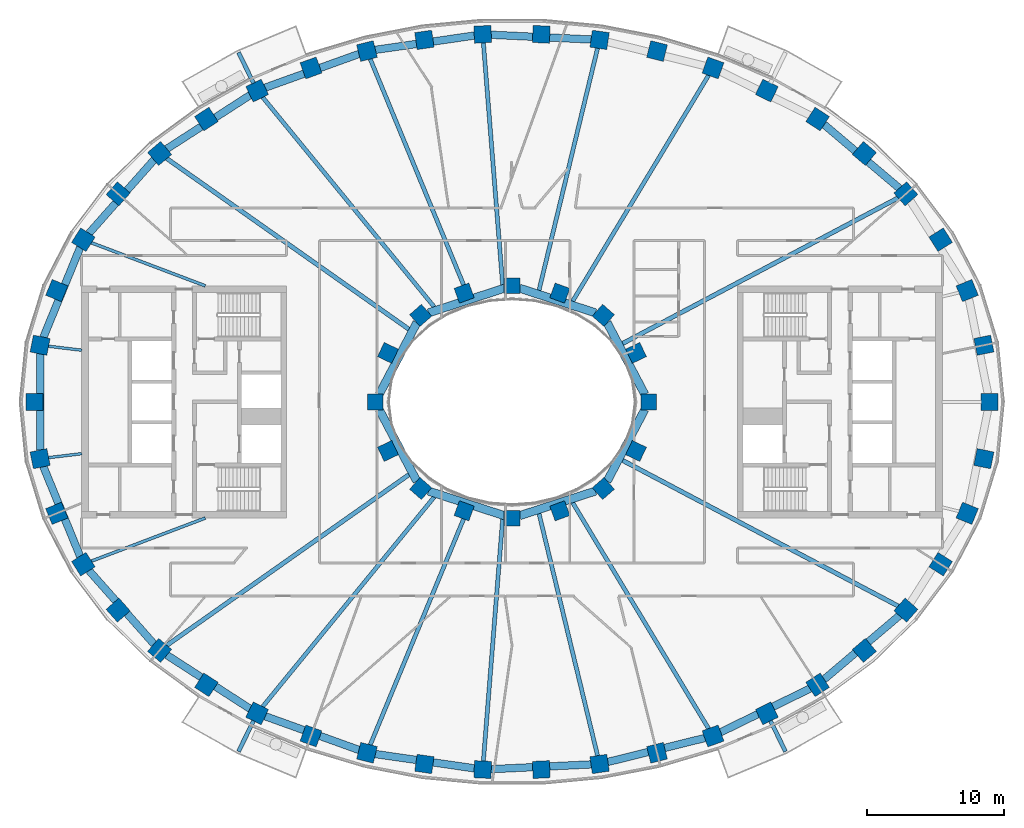
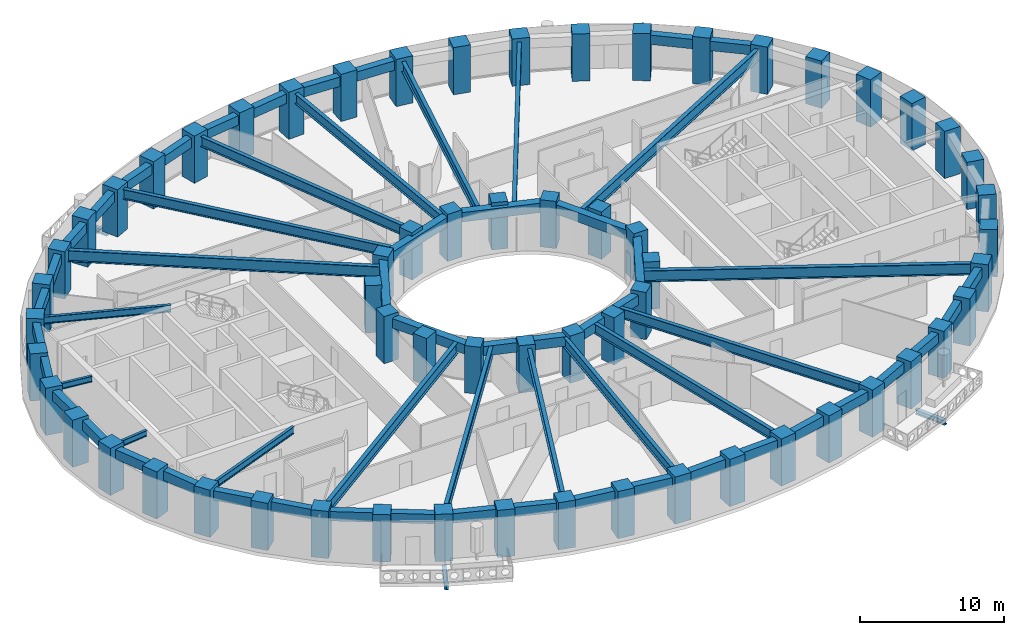
# One storey, part 1 of 15: 62 columns, 46 beams.
"""IFC4 building model written with IfcOpenShell, lengths in metres."""

from ifc_helpers import new_model, si_unit, direction, frame, origin, origin_2d, place, context, subcontext, project, spatial, rectangle, i_section, extrude, material, material_profile, profile_set, type_object, element, save


model = new_model("IFC4")

# Units and contexts
model_context = context("Model", 3, precision=1e-05, world=origin(), true_north=direction((0.0, 1.0)))
body_context = subcontext(model_context, "Body", "Model", "MODEL_VIEW")
ifc_project = project(units=[si_unit("LENGTHUNIT", "METRE"), si_unit("AREAUNIT", "SQUARE_METRE"), si_unit("VOLUMEUNIT", "CUBIC_METRE"), si_unit("PLANEANGLEUNIT", "RADIAN"), si_unit("MASSUNIT", "GRAM", prefix="KILO")], contexts=[model_context])

# Site, building, storey
site_placement = place(None, origin())
site = spatial("IfcSite", under=ifc_project, at=site_placement, CompositionType="ELEMENT")
building_placement = place(site_placement, origin())
building = spatial("IfcBuilding", under=site, at=building_placement, Name="Noorbagh Ring Tower", CompositionType="ELEMENT")
storey_placement = place(building_placement, frame((0.0, 0.0, 128.0)))
storey = spatial("IfcBuildingStorey", under=building, at=storey_placement, Name="L29", CompositionType="ELEMENT", Elevation=128.0)

# Columns
ifc_material_1 = material(Name="Concrete C60/75", Category="concrete")
ifc_material_profile_1 = material_profile(ifc_material_1, rectangle(XDim=1.25, YDim=1.25, at=origin_2d()), Name="RC1250x1250")
ifc_profile_set_1 = profile_set([ifc_material_profile_1], Name="Concrete C60/75")
column_type_1 = type_object("IfcColumnType", Name="STR-COL-RC1250x1250-C60-75", PredefinedType="COLUMN", material=ifc_profile_set_1)
for number, where, z_axis, x_axis, name in (
    (1, (34.944580078125, 0.0, 0.0), (0.0, 0.0, 1.0), (0.0, 1.0, 0.0), "L29/col/R1-01"),
    (2, (34.52685546875, 4.150634765625, 0.0), (0.0, 0.0, 1.0), (-0.19723040178, 0.9803571638, 0.0), "L29/col/R1-02"),
    (3, (33.30517578125, 8.1494140625, 0.0), (0.0, 0.0, 1.0), (-0.378989499959, 0.925400971969, 0.0), "L29/col/R1-03"),
    (4, (31.364990234375, 11.87109375, 0.0), (0.0, 0.0, 1.0), (-0.535190403059, 0.844731455833, 0.0), "L29/col/R1-04"),
    (5, (28.81884765625, 15.23046875, 0.0), (0.0, 0.0, 1.0), (-0.662635642662, 0.748941923699, 0.0), "L29/col/R1-05"),
    (6, (25.78271484375, 18.180419921875, 0.0), (0.0, 0.0, 1.0), (-0.763035199656, 0.646356932419, 0.0), "L29/col/R1-06"),
    (7, (22.362060546875, 20.699951171875, 0.0), (0.0, 0.0, 1.0), (-0.840247639643, 0.542202825586, 0.0), "L29/col/R1-07"),
    (8, (18.646240234375, 22.785400390625, 0.0), (0.0, 0.0, 1.0), (-0.898399080868, 0.439180021741, 0.0), "L29/col/R1-08"),
    (9, (14.70947265625, 24.44091796875, 0.0), (0.0, 0.0, 1.0), (-0.941024726094, 0.338337797003, 0.0), "L29/col/R1-09"),
    (10, (10.61328125, 25.673583984375, 0.0), (0.0, 0.0, 1.0), (-0.970829360981, 0.239771457553, 0.0), "L29/col/R1-10"),
    (11, (6.4091796875, 26.49072265625, 0.0), (0.0, 0.0, 1.0), (-0.989713114048, 0.143066249975, 0.0), "L29/col/R1-11"),
    (12, (2.14306640625, 26.89794921875, 0.0), (0.0, 0.0, 1.0), (-0.998868731212, 0.047552684538, 0.0), "L29/col/R1-12"),
    (13, (-2.14306640625, 26.89794921875, 0.0), (0.0, 0.0, 1.0), (-0.998868731212, -0.047552684538, 0.0), "L29/col/R1-13"),
    (14, (-6.4091796875, 26.49072265625, 0.0), (0.0, 0.0, 1.0), (-0.989713114048, -0.143066249975, 0.0), "L29/col/R1-14"),
    (15, (-10.61328125, 25.673583984375, 0.0), (0.0, 0.0, 1.0), (-0.970829360981, -0.239771457553, 0.0), "L29/col/R1-15"),
    (16, (-14.70947265625, 24.44091796875, 0.0), (0.0, 0.0, 1.0), (-0.941024726094, -0.338337797003, 0.0), "L29/col/R1-16"),
    (17, (-18.646240234375, 22.785400390625, 0.0), (0.0, 0.0, 1.0), (-0.898399080868, -0.439180021741, 0.0), "L29/col/R1-17"),
    (18, (-22.362060546875, 20.699951171875, 0.0), (0.0, 0.0, 1.0), (-0.840247639643, -0.542202825586, 0.0), "L29/col/R1-18"),
    (19, (-25.78271484375, 18.180419921875, 0.0), (0.0, 0.0, 1.0), (-0.763035199656, -0.646356932419, 0.0), "L29/col/R1-19"),
    (20, (-28.81884765625, 15.23046875, 0.0), (0.0, 0.0, 1.0), (-0.662635642662, -0.748941923699, 0.0), "L29/col/R1-20"),
    (21, (-31.364990234375, 11.87109375, 0.0), (0.0, 0.0, 1.0), (-0.535190403059, -0.844731455833, 0.0), "L29/col/R1-21"),
    (22, (-33.30517578125, 8.1494140625, 0.0), (0.0, 0.0, 1.0), (-0.378989499959, -0.925400971969, 0.0), "L29/col/R1-22"),
    (23, (-34.52685546875, 4.150634765625, 0.0), (0.0, 0.0, 1.0), (-0.19723040178, -0.9803571638, 0.0), "L29/col/R1-23"),
    (24, (-34.944580078125, 0.0, 0.0), (0.0, 0.0, 1.0), (0.0, -1.0, 0.0), "L29/col/R1-24"),
    (25, (-34.52685546875, -4.150634765625, 0.0), (0.0, 0.0, 1.0), (0.19723040178, -0.9803571638, 0.0), "L29/col/R1-25"),
    (26, (-33.30517578125, -8.1494140625, 0.0), (0.0, 0.0, 1.0), (0.378989499959, -0.925400971969, 0.0), "L29/col/R1-26"),
    (27, (-31.364990234375, -11.87109375, 0.0), (0.0, 0.0, 1.0), (0.535190403059, -0.844731455833, 0.0), "L29/col/R1-27"),
    (28, (-28.81884765625, -15.23046875, 0.0), (0.0, 0.0, 1.0), (0.662635642662, -0.748941923699, 0.0), "L29/col/R1-28"),
    (29, (-25.78271484375, -18.180419921875, 0.0), (0.0, 0.0, 1.0), (0.763035199656, -0.646356932419, 0.0), "L29/col/R1-29"),
    (30, (-22.362060546875, -20.699951171875, 0.0), (0.0, 0.0, 1.0), (0.840247639643, -0.542202825586, 0.0), "L29/col/R1-30"),
    (31, (-18.646240234375, -22.785400390625, 0.0), (0.0, 0.0, 1.0), (0.898399080868, -0.439180021741, 0.0), "L29/col/R1-31"),
    (32, (-14.70947265625, -24.44091796875, 0.0), (0.0, 0.0, 1.0), (0.941024726094, -0.338337797003, 0.0), "L29/col/R1-32"),
    (33, (-10.61328125, -25.673583984375, 0.0), (0.0, 0.0, 1.0), (0.970829360981, -0.239771457553, 0.0), "L29/col/R1-33"),
    (34, (-6.4091796875, -26.49072265625, 0.0), (0.0, 0.0, 1.0), (0.989713114048, -0.143066249975, 0.0), "L29/col/R1-34"),
    (35, (-2.14306640625, -26.89794921875, 0.0), (0.0, 0.0, 1.0), (0.998868731212, -0.047552684538, 0.0), "L29/col/R1-35"),
    (36, (2.14306640625, -26.89794921875, 0.0), (0.0, 0.0, 1.0), (0.998868731212, 0.047552684538, 0.0), "L29/col/R1-36"),
    (37, (6.4091796875, -26.49072265625, 0.0), (0.0, 0.0, 1.0), (0.989713114048, 0.143066249975, 0.0), "L29/col/R1-37"),
    (38, (10.61328125, -25.673583984375, 0.0), (0.0, 0.0, 1.0), (0.970829360981, 0.239771457553, 0.0), "L29/col/R1-38"),
    (39, (14.70947265625, -24.44091796875, 0.0), (0.0, 0.0, 1.0), (0.941024726094, 0.338337797003, 0.0), "L29/col/R1-39"),
    (40, (18.646240234375, -22.785400390625, 0.0), (0.0, 0.0, 1.0), (0.898399080868, 0.439180021741, 0.0), "L29/col/R1-40"),
    (41, (22.362060546875, -20.699951171875, 0.0), (0.0, 0.0, 1.0), (0.840247639643, 0.542202825586, 0.0), "L29/col/R1-41"),
    (42, (25.78271484375, -18.180419921875, 0.0), (0.0, 0.0, 1.0), (0.763035199656, 0.646356932419, 0.0), "L29/col/R1-42"),
    (43, (28.81884765625, -15.23046875, 0.0), (0.0, 0.0, 1.0), (0.662635642662, 0.748941923699, 0.0), "L29/col/R1-43"),
    (44, (31.364990234375, -11.87109375, 0.0), (0.0, 0.0, 1.0), (0.535190403059, 0.844731455833, 0.0), "L29/col/R1-44"),
    (45, (33.30517578125, -8.1494140625, 0.0), (0.0, 0.0, 1.0), (0.378989499959, 0.925400971969, 0.0), "L29/col/R1-45"),
    (46, (34.52685546875, -4.150634765625, 0.0), (0.0, 0.0, 1.0), (0.19723040178, 0.9803571638, 0.0), "L29/col/R1-46"),
):
    element("IfcColumn", number, at=place(storey_placement, frame(where, z_axis=z_axis, x_axis=x_axis)), inside=storey, type_object=column_type_1, Name=name, PredefinedType="COLUMN", context=body_context, shape_type="SweptSolid", body=[
        extrude(rectangle(XDim=1.25, YDim=1.25, at=origin_2d()), origin(), (0.0, 0.0, 1.0), 4.0),
    ])
ifc_material_2 = material(Name="Concrete C60/75", Category="concrete")
ifc_material_profile_2 = material_profile(ifc_material_2, rectangle(XDim=1.14990234375, YDim=1.14990234375, at=origin_2d()), Name="RC1150x1150")
ifc_profile_set_2 = profile_set([ifc_material_profile_2], Name="Concrete C60/75")
column_type_2 = type_object("IfcColumnType", Name="STR-ICOL-RC1150x1150-C60-75", PredefinedType="COLUMN", material=ifc_profile_set_2)
for number, where, z_axis, x_axis, name in (
    (47, (10.00830078125, 0.0, 0.0), (0.0, 0.0, 1.0), (0.0, 1.0, 0.0), "L29/col/IR2-W01"),
    (48, (9.07568359375, 3.58837890625, 0.0), (0.0, 0.0, 1.0), (-0.428666979171, 0.903462573087, 0.0), "L29/col/IR2-W03"),
    (49, (6.68212890625, 6.333740234375, 0.0), (0.0, 0.0, 1.0), (-0.75102249095, 0.660276622399, 0.0), "L29/col/IR2-W05"),
    (50, (3.5009765625, 7.967041015625, 0.0), (0.0, 0.0, 1.0), (-0.939019578916, 0.343863679984, 0.0), "L29/col/IR2-W07"),
    (51, (0.0, 8.5029296875, 0.0), (0.0, 0.0, 1.0), (-1.0, 0.0, 0.0), "L29/col/IR2-W09"),
    (52, (-3.5009765625, 7.967041015625, 0.0), (0.0, 0.0, 1.0), (-0.939019578916, -0.343863679984, 0.0), "L29/col/IR2-W11"),
    (53, (-6.68212890625, 6.333740234375, 0.0), (0.0, 0.0, 1.0), (-0.75102249095, -0.660276622399, 0.0), "L29/col/IR2-W13"),
    (54, (-9.07568359375, 3.58837890625, 0.0), (0.0, 0.0, 1.0), (-0.428666979171, -0.903462573087, 0.0), "L29/col/IR2-W15"),
    (55, (-10.00830078125, 0.0, 0.0), (0.0, 0.0, 1.0), (0.0, -1.0, 0.0), "L29/col/IR2-W17"),
    (56, (-9.07568359375, -3.58837890625, 0.0), (0.0, 0.0, 1.0), (0.428666979171, -0.903462573087, 0.0), "L29/col/IR2-W19"),
    (57, (-6.68212890625, -6.333740234375, 0.0), (0.0, 0.0, 1.0), (0.75102249095, -0.660276622399, 0.0), "L29/col/IR2-W21"),
    (58, (-3.5009765625, -7.967041015625, 0.0), (0.0, 0.0, 1.0), (0.939019578916, -0.343863679984, 0.0), "L29/col/IR2-W23"),
    (59, (0.0, -8.5029296875, 0.0), (0.0, 0.0, 1.0), (1.0, 0.0, 0.0), "L29/col/IR2-W25"),
    (60, (3.5009765625, -7.967041015625, 0.0), (0.0, 0.0, 1.0), (0.939019578916, 0.343863679984, 0.0), "L29/col/IR2-W27"),
    (61, (6.68212890625, -6.333740234375, 0.0), (0.0, 0.0, 1.0), (0.75102249095, 0.660276622399, 0.0), "L29/col/IR2-W29"),
    (62, (9.07568359375, -3.58837890625, 0.0), (0.0, 0.0, 1.0), (0.428666979171, 0.903462573087, 0.0), "L29/col/IR2-W31"),
):
    element("IfcColumn", number, at=place(storey_placement, frame(where, z_axis=z_axis, x_axis=x_axis)), inside=storey, type_object=column_type_2, Name=name, PredefinedType="COLUMN", context=body_context, shape_type="SweptSolid", body=[
        extrude(rectangle(XDim=1.14990234375, YDim=1.14990234375, at=origin_2d()), origin(), (0.0, 0.0, 1.0), 4.0),
    ])

# Beams
ifc_material_3 = material(Name="Steel S355", Category="steel")
ifc_material_profile_3 = material_profile(ifc_material_3, i_section(OverallWidth=0.300048828125, OverallDepth=0.39990234375, WebThickness=0.013427734375, FlangeThickness=0.02392578125, FilletRadius=0.027099609375, at=origin_2d()), Name="HEB400")
ifc_profile_set_3 = profile_set([ifc_material_profile_3], Name="Steel S355")
beam_type_1 = type_object("IfcBeamType", Name="STR-BALCONY-BRACKET-HEB400", PredefinedType="BEAM", material=ifc_profile_set_3)
for number, where, z_axis, x_axis, name in (
    (63, (-18.912109375, 23.328857421875, -0.5), (-0.439227645789, 0.898375798413, 0.0), (-0.898375798413, -0.439227645789, 0.0), "Balcony bracket beam BN05"),
    (64, (-18.912109375, -23.328857421875, -0.5), (-0.439227645789, -0.898375798413, 0.0), (0.898375798413, -0.439227645789, 0.0), "Balcony bracket beam BS02"),
    (65, (18.912109375, -23.328857421875, -0.5), (0.439227645789, -0.898375798413, 0.0), (0.898375798413, 0.439227645789, 0.0), "Balcony bracket beam BS05"),
):
    element("IfcBeam", number, at=place(storey_placement, frame(where, z_axis=z_axis, x_axis=x_axis)), inside=storey, type_object=beam_type_1, Name=name, PredefinedType="BEAM", context=body_context, shape_type="SweptSolid", body=[
        extrude(i_section(OverallWidth=0.300048828125, OverallDepth=0.39990234375, WebThickness=0.013427734375, FlangeThickness=0.02392578125, FilletRadius=0.027099609375, at=origin_2d()), origin(), (0.0, 0.0, 1.0), 2.500244140625),
    ])
ifc_material_4 = material(Name="Steel S355", Category="steel")
ifc_material_profile_4 = material_profile(ifc_material_4, i_section(OverallWidth=0.199951171875, OverallDepth=0.5, WebThickness=0.01025390625, FlangeThickness=0.01611328125, FilletRadius=0.02099609375, at=origin_2d()), Name="IPE500")
ifc_profile_set_4 = profile_set([ifc_material_profile_4], Name="Steel S355")
beam_type_2 = type_object("IfcBeamType", Name="STR-RAD-IPE500", PredefinedType="BEAM", material=ifc_profile_set_4)
for number, where, z_axis, x_axis, name in (
    (66, (-33.924072265625, 4.078125, 3.449951171875), (0.992855702759, -0.119321219822, 0.0), (0.119321219822, 0.992855702759, 0.0), "L29/bm/RD23"),
    (67, (-33.924072265625, -4.078125, 3.449951171875), (0.992855702759, 0.119321219822, 0.0), (-0.119321219822, 0.992855702759, 0.0), "L29/bm/RD25"),
):
    element("IfcBeam", number, at=place(storey_placement, frame(where, z_axis=z_axis, x_axis=x_axis)), inside=storey, type_object=beam_type_2, Name=name, PredefinedType="BEAM", context=body_context, shape_type="SweptSolid", body=[
        extrude(i_section(OverallWidth=0.199951171875, OverallDepth=0.5, WebThickness=0.01025390625, FlangeThickness=0.01611328125, FilletRadius=0.02099609375, at=origin_2d()), origin(), (0.0, 0.0, 1.0), 2.46142578125),
    ])
ifc_material_5 = material(Name="Steel S355", Category="steel")
ifc_material_profile_5 = material_profile(ifc_material_5, i_section(OverallWidth=0.219970703125, OverallDepth=0.60009765625, WebThickness=0.011962890625, FlangeThickness=0.01904296875, FilletRadius=0.02392578125, at=origin_2d()), Name="IPE600")
ifc_profile_set_5 = profile_set([ifc_material_profile_5], Name="Steel S355")
beam_type_3 = type_object("IfcBeamType", Name="STR-RAD-IPE600", PredefinedType="BEAM", material=ifc_profile_set_5)
for number, where, z_axis, x_axis, name in (
    (68, (-30.786865234375, 11.652099609375, 3.39990234375), (0.935256889456, -0.353969703117, 0.0), (0.353969703117, 0.935256889456, 0.0), "L29/bm/RD21"),
    (69, (-30.786865234375, -11.652099609375, 3.39990234375), (0.935256889456, 0.353969703117, 0.0), (-0.353969703117, 0.935256889456, 0.0), "L29/bm/RD27"),
):
    element("IfcBeam", number, at=place(storey_placement, frame(where, z_axis=z_axis, x_axis=x_axis)), inside=storey, type_object=beam_type_3, Name=name, PredefinedType="BEAM", context=body_context, shape_type="SweptSolid", body=[
        extrude(i_section(OverallWidth=0.219970703125, OverallDepth=0.60009765625, WebThickness=0.011962890625, FlangeThickness=0.01904296875, FilletRadius=0.02392578125, at=origin_2d()), origin(), (0.0, 0.0, 1.0), 8.925048828125),
    ])
ifc_material_6 = material(Name="Steel S355", Category="steel")
ifc_material_profile_6 = material_profile(ifc_material_6, i_section(OverallWidth=0.300048828125, OverallDepth=0.85009765625, WebThickness=0.013916015625, FlangeThickness=0.028076171875, at=origin_2d()), Name="PG850x300x14x28")
ifc_profile_set_6 = profile_set([ifc_material_profile_6], Name="Steel S355")
beam_type_4 = type_object("IfcBeamType", Name="STR-RAD-PG850x300x14x28", PredefinedType="BEAM", material=ifc_profile_set_6)
beam_1_placement = place(storey_placement, frame((14.39111328125, 23.912109375, 3.27490234375), z_axis=(-0.515649393851, -0.856799686403, 0.0), x_axis=(0.856799686403, -0.515649393851, 0.0)))
element("IfcBeam", 70, at=beam_1_placement, inside=storey, type_object=beam_type_4, Name="L29/bm/RD09", PredefinedType="BEAM", context=body_context, shape_type="SweptSolid", body=[
    extrude(i_section(OverallWidth=0.300048828125, OverallDepth=0.85009765625, WebThickness=0.013916015625, FlangeThickness=0.028076171875, at=origin_2d()), origin(), (0.0, 0.0, 1.0), 19.318603515625),
])
beam_2_placement = place(storey_placement, frame((6.266357421875, 25.900146484375, 3.27490234375), z_axis=(-0.235162116431, -0.971956161046, 0.0), x_axis=(0.971956161046, -0.235162116431, 0.0)))
element("IfcBeam", 71, at=beam_2_placement, inside=storey, type_object=beam_type_4, Name="L29/bm/RD11", PredefinedType="BEAM", context=body_context, shape_type="SweptSolid", body=[
    extrude(i_section(OverallWidth=0.300048828125, OverallDepth=0.85009765625, WebThickness=0.013916015625, FlangeThickness=0.028076171875, at=origin_2d()), origin(), (0.0, 0.0, 1.0), 18.25537109375),
])
beam_3_placement = place(storey_placement, frame((-2.09521484375, 26.294677734375, 3.27490234375), z_axis=(0.079430227558, -0.996840428027, 0.0), x_axis=(0.996840428027, 0.079430227558, 0.0)))
element("IfcBeam", 72, at=beam_3_placement, inside=storey, type_object=beam_type_4, Name="L29/bm/RD13", PredefinedType="BEAM", context=body_context, shape_type="SweptSolid", body=[
    extrude(i_section(OverallWidth=0.300048828125, OverallDepth=0.85009765625, WebThickness=0.013916015625, FlangeThickness=0.028076171875, at=origin_2d()), origin(), (0.0, 0.0, 1.0), 17.77490234375),
])
beam_4_placement = place(storey_placement, frame((-10.37939453125, 25.10791015625, 3.27490234375), z_axis=(0.382033251653, -0.924148578223, 0.0), x_axis=(0.924148578223, 0.382033251653, 0.0)))
element("IfcBeam", 73, at=beam_4_placement, inside=storey, type_object=beam_type_4, Name="L29/bm/RD15", PredefinedType="BEAM", context=body_context, shape_type="SweptSolid", body=[
    extrude(i_section(OverallWidth=0.300048828125, OverallDepth=0.85009765625, WebThickness=0.013916015625, FlangeThickness=0.028076171875, at=origin_2d()), origin(), (0.0, 0.0, 1.0), 18.775390625),
])
for number, where, z_axis, x_axis, name in (
    (74, (-18.252197265625, 22.303955078125, 3.27490234375), (0.633304807385, -0.773902462163, 0.0), (0.773902462163, 0.633304807385, 0.0), "L29/bm/RD17"),
    (75, (-18.252197265625, -22.303955078125, 3.27490234375), (0.633304807385, 0.773902462163, 0.0), (-0.773902462163, 0.633304807385, 0.0), "L29/bm/RD31"),
):
    element("IfcBeam", number, at=place(storey_placement, frame(where, z_axis=z_axis, x_axis=x_axis)), inside=storey, type_object=beam_type_4, Name=name, PredefinedType="BEAM", context=body_context, shape_type="SweptSolid", body=[
        extrude(i_section(OverallWidth=0.300048828125, OverallDepth=0.85009765625, WebThickness=0.013916015625, FlangeThickness=0.028076171875, at=origin_2d()), origin(), (0.0, 0.0, 1.0), 19.837158203125),
    ])
beam_5_placement = place(storey_placement, frame((-10.37939453125, -25.10791015625, 3.27490234375), z_axis=(0.382033251653, 0.924148578223, 0.0), x_axis=(-0.924148578223, 0.382033251653, 0.0)))
element("IfcBeam", 76, at=beam_5_placement, inside=storey, type_object=beam_type_4, Name="L29/bm/RD33", PredefinedType="BEAM", context=body_context, shape_type="SweptSolid", body=[
    extrude(i_section(OverallWidth=0.300048828125, OverallDepth=0.85009765625, WebThickness=0.013916015625, FlangeThickness=0.028076171875, at=origin_2d()), origin(), (0.0, 0.0, 1.0), 18.775390625),
])
beam_6_placement = place(storey_placement, frame((-2.09521484375, -26.294677734375, 3.27490234375), z_axis=(0.079430227558, 0.996840428027, 0.0), x_axis=(-0.996840428027, 0.079430227558, 0.0)))
element("IfcBeam", 77, at=beam_6_placement, inside=storey, type_object=beam_type_4, Name="L29/bm/RD35", PredefinedType="BEAM", context=body_context, shape_type="SweptSolid", body=[
    extrude(i_section(OverallWidth=0.300048828125, OverallDepth=0.85009765625, WebThickness=0.013916015625, FlangeThickness=0.028076171875, at=origin_2d()), origin(), (0.0, 0.0, 1.0), 17.77490234375),
])
beam_7_placement = place(storey_placement, frame((6.266357421875, -25.900146484375, 3.27490234375), z_axis=(-0.235162116431, 0.971956161046, 0.0), x_axis=(-0.971956161046, -0.235162116431, 0.0)))
element("IfcBeam", 78, at=beam_7_placement, inside=storey, type_object=beam_type_4, Name="L29/bm/RD37", PredefinedType="BEAM", context=body_context, shape_type="SweptSolid", body=[
    extrude(i_section(OverallWidth=0.300048828125, OverallDepth=0.85009765625, WebThickness=0.013916015625, FlangeThickness=0.028076171875, at=origin_2d()), origin(), (0.0, 0.0, 1.0), 18.25537109375),
])
beam_8_placement = place(storey_placement, frame((14.39111328125, -23.912109375, 3.27490234375), z_axis=(-0.515649393851, 0.856799686403, 0.0), x_axis=(-0.856799686403, -0.515649393851, 0.0)))
element("IfcBeam", 79, at=beam_8_placement, inside=storey, type_object=beam_type_4, Name="L29/bm/RD39", PredefinedType="BEAM", context=body_context, shape_type="SweptSolid", body=[
    extrude(i_section(OverallWidth=0.300048828125, OverallDepth=0.85009765625, WebThickness=0.013916015625, FlangeThickness=0.028076171875, at=origin_2d()), origin(), (0.0, 0.0, 1.0), 19.318603515625),
])
ifc_material_7 = material(Name="Steel S355", Category="steel")
ifc_material_profile_7 = material_profile(ifc_material_7, i_section(OverallWidth=0.320068359375, OverallDepth=0.949951171875, WebThickness=0.01611328125, FlangeThickness=0.030029296875, at=origin_2d()), Name="PG950x320x16x30")
ifc_profile_set_7 = profile_set([ifc_material_profile_7], Name="Steel S355")
beam_type_5 = type_object("IfcBeamType", Name="STR-RAD-PG950x320x16x30", PredefinedType="BEAM", material=ifc_profile_set_7)
beam_9_placement = place(storey_placement, frame((28.267822265625, 14.939453125, 3.22509765625), z_axis=(-0.884118542568, -0.467262669906, 0.0), x_axis=(0.467262669906, -0.884118542568, 0.0)))
element("IfcBeam", 80, at=beam_9_placement, inside=storey, type_object=beam_type_5, Name="L29/bm/RD05", PredefinedType="BEAM", context=body_context, shape_type="SweptSolid", body=[
    extrude(i_section(OverallWidth=0.320068359375, OverallDepth=0.949951171875, WebThickness=0.01611328125, FlangeThickness=0.030029296875, at=origin_2d()), origin(), (0.0, 0.0, 1.0), 22.831787109375),
])
for number, where, z_axis, x_axis, name in (
    (81, (-25.271484375, 17.81982421875, 3.22509765625), (0.817255824505, -0.57627503617, 0.0), (0.57627503617, 0.817255824505, 0.0), "L29/bm/RD19"),
    (82, (-25.271484375, -17.81982421875, 3.22509765625), (0.817255824505, 0.57627503617, 0.0), (-0.57627503617, 0.817255824505, 0.0), "L29/bm/RD29"),
):
    element("IfcBeam", number, at=place(storey_placement, frame(where, z_axis=z_axis, x_axis=x_axis)), inside=storey, type_object=beam_type_5, Name=name, PredefinedType="BEAM", context=body_context, shape_type="SweptSolid", body=[
        extrude(i_section(OverallWidth=0.320068359375, OverallDepth=0.949951171875, WebThickness=0.01611328125, FlangeThickness=0.030029296875, at=origin_2d()), origin(), (0.0, 0.0, 1.0), 21.702880859375),
    ])
beam_10_placement = place(storey_placement, frame((28.267822265625, -14.939453125, 3.22509765625), z_axis=(-0.884118542568, 0.467262669906, 0.0), x_axis=(-0.467262669906, -0.884118542568, 0.0)))
element("IfcBeam", 83, at=beam_10_placement, inside=storey, type_object=beam_type_5, Name="L29/bm/RD43", PredefinedType="BEAM", context=body_context, shape_type="SweptSolid", body=[
    extrude(i_section(OverallWidth=0.320068359375, OverallDepth=0.949951171875, WebThickness=0.01611328125, FlangeThickness=0.030029296875, at=origin_2d()), origin(), (0.0, 0.0, 1.0), 22.831787109375),
])
ifc_material_8 = material(Name="Concrete C40/50", Category="concrete")
ifc_material_profile_8 = material_profile(ifc_material_8, rectangle(XDim=0.60009765625, YDim=0.800048828125, at=origin_2d()), Name="RC600x800")
ifc_profile_set_8 = profile_set([ifc_material_profile_8], Name="Concrete C40/50")
beam_type_6 = type_object("IfcBeamType", Name="STR-RB-RC600x800-C40-50", PredefinedType="BEAM", material=ifc_profile_set_8)
beam_11_placement = place(storey_placement, frame((9.7158203125, 0.557373046875, 3.300048828125), z_axis=(-0.464946878947, 0.885338579165, 0.0), x_axis=(-0.885338579165, -0.464946878947, 0.0)))
element("IfcBeam", 84, at=beam_11_placement, inside=storey, type_object=beam_type_6, Name="L29/bm/RG01", PredefinedType="BEAM", context=body_context, shape_type="SweptSolid", body=[
    extrude(rectangle(XDim=0.60009765625, YDim=0.800048828125, at=origin_2d()), origin(), (0.0, 0.0, 1.0), 5.9287109375),
])
for number, where, z_axis, x_axis, name in (
    (85, (6.10546875, 6.52099609375, 3.300048828125), (-0.951151772647, 0.308723671576, 0.0), (-0.308723671576, -0.951151772647, 0.0), "L29/bm/RG03"),
    (86, (-0.555908203125, 8.322265625, 3.300048828125), (-0.951151772647, -0.308723671576, 0.0), (0.308723671576, -0.951151772647, 0.0), "L29/bm/RG05"),
):
    element("IfcBeam", number, at=place(storey_placement, frame(where, z_axis=z_axis, x_axis=x_axis)), inside=storey, type_object=beam_type_6, Name=name, PredefinedType="BEAM", context=body_context, shape_type="SweptSolid", body=[
        extrude(rectangle(XDim=0.60009765625, YDim=0.800048828125, at=origin_2d()), origin(), (0.0, 0.0, 1.0), 5.83447265625),
    ])
for number, where, z_axis, x_axis, name in (
    (87, (-6.959228515625, 5.806396484375, 3.300048828125), (-0.464946878947, -0.885338579165, 0.0), (0.885338579165, -0.464946878947, 0.0), "L29/bm/RG07"),
    (88, (-9.7158203125, -0.557373046875, 3.300048828125), (0.464946878947, -0.885338579165, 0.0), (0.885338579165, 0.464946878947, 0.0), "L29/bm/RG09"),
):
    element("IfcBeam", number, at=place(storey_placement, frame(where, z_axis=z_axis, x_axis=x_axis)), inside=storey, type_object=beam_type_6, Name=name, PredefinedType="BEAM", context=body_context, shape_type="SweptSolid", body=[
        extrude(rectangle(XDim=0.60009765625, YDim=0.800048828125, at=origin_2d()), origin(), (0.0, 0.0, 1.0), 5.9287109375),
    ])
for number, where, z_axis, x_axis, name in (
    (89, (-6.10546875, -6.52099609375, 3.300048828125), (0.951151772647, -0.308723671576, 0.0), (0.308723671576, 0.951151772647, 0.0), "L29/bm/RG11"),
    (90, (0.555908203125, -8.322265625, 3.300048828125), (0.951151772647, 0.308723671576, 0.0), (-0.308723671576, 0.951151772647, 0.0), "L29/bm/RG13"),
):
    element("IfcBeam", number, at=place(storey_placement, frame(where, z_axis=z_axis, x_axis=x_axis)), inside=storey, type_object=beam_type_6, Name=name, PredefinedType="BEAM", context=body_context, shape_type="SweptSolid", body=[
        extrude(rectangle(XDim=0.60009765625, YDim=0.800048828125, at=origin_2d()), origin(), (0.0, 0.0, 1.0), 5.83447265625),
    ])
beam_12_placement = place(storey_placement, frame((6.959228515625, -5.806396484375, 3.300048828125), z_axis=(0.464946878947, 0.885338579165, 0.0), x_axis=(-0.885338579165, 0.464946878947, 0.0)))
element("IfcBeam", 91, at=beam_12_placement, inside=storey, type_object=beam_type_6, Name="L29/bm/RG15", PredefinedType="BEAM", context=body_context, shape_type="SweptSolid", body=[
    extrude(rectangle(XDim=0.60009765625, YDim=0.800048828125, at=origin_2d()), origin(), (0.0, 0.0, 1.0), 5.9287109375),
])
ifc_material_9 = material(Name="Concrete C40/50", Category="concrete")
ifc_material_profile_9 = material_profile(ifc_material_9, rectangle(XDim=0.550048828125, YDim=0.800048828125, at=origin_2d()), Name="RC550x800")
ifc_profile_set_9 = profile_set([ifc_material_profile_9], Name="Concrete C40/50")
beam_type_7 = type_object("IfcBeamType", Name="STR-SB-RC550x800-C40-50", PredefinedType="BEAM", material=ifc_profile_set_9)
beam_13_placement = place(storey_placement, frame((28.352294921875, 15.625732421875, 3.300048828125), z_axis=(-0.76304723731, 0.646342721498, 0.0), x_axis=(-0.646342721498, -0.76304723731, 0.0)))
element("IfcBeam", 92, at=beam_13_placement, inside=storey, type_object=beam_type_7, Name="L29/bm/SP05", PredefinedType="BEAM", context=body_context, shape_type="SweptSolid", body=[
    extrude(rectangle(XDim=0.550048828125, YDim=0.800048828125, at=origin_2d()), origin(), (0.0, 0.0, 1.0), 7.240234375),
])
beam_14_placement = place(storey_placement, frame((5.802001953125, 26.519775390625, 3.300048828125), z_axis=(-0.998868588799, 0.047555675902, 0.0), x_axis=(-0.047555675902, -0.998868588799, 0.0)))
element("IfcBeam", 93, at=beam_14_placement, inside=storey, type_object=beam_type_7, Name="L29/bm/SP11", PredefinedType="BEAM", context=body_context, shape_type="SweptSolid", body=[
    extrude(rectangle(XDim=0.550048828125, YDim=0.800048828125, at=origin_2d()), origin(), (0.0, 0.0, 1.0), 7.346435546875),
])
beam_15_placement = place(storey_placement, frame((-2.744873046875, 26.81103515625, 3.300048828125), z_axis=(-0.989710679794, -0.143083088804, 0.0), x_axis=(0.143083088804, -0.989710679794, 0.0)))
element("IfcBeam", 94, at=beam_15_placement, inside=storey, type_object=beam_type_7, Name="L29/bm/SP13", PredefinedType="BEAM", context=body_context, shape_type="SweptSolid", body=[
    extrude(rectangle(XDim=0.550048828125, YDim=0.800048828125, at=origin_2d()), origin(), (0.0, 0.0, 1.0), 7.342041015625),
])
beam_16_placement = place(storey_placement, frame((-11.185546875, 25.4677734375, 3.300048828125), z_axis=(-0.941032743566, -0.33831549704, 0.0), x_axis=(0.33831549704, -0.941032743566, 0.0)))
element("IfcBeam", 95, at=beam_16_placement, inside=storey, type_object=beam_type_7, Name="L29/bm/SP15", PredefinedType="BEAM", context=body_context, shape_type="SweptSolid", body=[
    extrude(rectangle(XDim=0.550048828125, YDim=0.800048828125, at=origin_2d()), origin(), (0.0, 0.0, 1.0), 7.319580078125),
])
beam_17_placement = place(storey_placement, frame((-19.158447265625, 22.455078125, 3.300048828125), z_axis=(-0.840240413794, -0.542214023267, 0.0), x_axis=(0.542214023267, -0.840240413794, 0.0)))
element("IfcBeam", 96, at=beam_17_placement, inside=storey, type_object=beam_type_7, Name="L29/bm/SP17", PredefinedType="BEAM", context=body_context, shape_type="SweptSolid", body=[
    extrude(rectangle(XDim=0.550048828125, YDim=0.800048828125, at=origin_2d()), origin(), (0.0, 0.0, 1.0), 7.273681640625),
])
beam_18_placement = place(storey_placement, frame((-26.18798828125, 17.722412109375, 3.300048828125), z_axis=(-0.662621438295, -0.748954490948, 0.0), x_axis=(0.748954490948, -0.662621438295, 0.0)))
element("IfcBeam", 97, at=beam_18_placement, inside=storey, type_object=beam_type_7, Name="L29/bm/SP19", PredefinedType="BEAM", context=body_context, shape_type="SweptSolid", body=[
    extrude(rectangle(XDim=0.550048828125, YDim=0.800048828125, at=origin_2d()), origin(), (0.0, 0.0, 1.0), 7.19970703125),
])
beam_19_placement = place(storey_placement, frame((-31.597900390625, 11.302001953125, 3.300048828125), z_axis=(-0.379013796153, -0.925391021313, 0.0), x_axis=(0.925391021313, -0.379013796153, 0.0)))
element("IfcBeam", 98, at=beam_19_placement, inside=storey, type_object=beam_type_7, Name="L29/bm/SP21", PredefinedType="BEAM", context=body_context, shape_type="SweptSolid", body=[
    extrude(rectangle(XDim=0.550048828125, YDim=0.800048828125, at=origin_2d()), origin(), (0.0, 0.0, 1.0), 7.111328125),
])
beam_20_placement = place(storey_placement, frame((-34.52685546875, 3.533203125, 3.300048828125), z_axis=(0.0, -1.0, 0.0), x_axis=(1.0, 0.0, 0.0)))
element("IfcBeam", 99, at=beam_20_placement, inside=storey, type_object=beam_type_7, Name="L29/bm/SP23", PredefinedType="BEAM", context=body_context, shape_type="SweptSolid", body=[
    extrude(rectangle(XDim=0.550048828125, YDim=0.800048828125, at=origin_2d()), origin(), (0.0, 0.0, 1.0), 7.06640625),
])
beam_21_placement = place(storey_placement, frame((-34.293212890625, -4.72119140625, 3.300048828125), z_axis=(0.379013796153, -0.925391021313, 0.0), x_axis=(0.925391021313, 0.379013796153, 0.0)))
element("IfcBeam", 100, at=beam_21_placement, inside=storey, type_object=beam_type_7, Name="L29/bm/SP25", PredefinedType="BEAM", context=body_context, shape_type="SweptSolid", body=[
    extrude(rectangle(XDim=0.550048828125, YDim=0.800048828125, at=origin_2d()), origin(), (0.0, 0.0, 1.0), 7.111328125),
])
beam_22_placement = place(storey_placement, frame((-30.958740234375, -12.330078125, 3.300048828125), z_axis=(0.662621438295, -0.748954490948, 0.0), x_axis=(0.748954490948, 0.662621438295, 0.0)))
element("IfcBeam", 101, at=beam_22_placement, inside=storey, type_object=beam_type_7, Name="L29/bm/SP27", PredefinedType="BEAM", context=body_context, shape_type="SweptSolid", body=[
    extrude(rectangle(XDim=0.550048828125, YDim=0.800048828125, at=origin_2d()), origin(), (0.0, 0.0, 1.0), 7.19970703125),
])
beam_23_placement = place(storey_placement, frame((-25.27001953125, -18.51123046875, 3.300048828125), z_axis=(0.840240413794, -0.542214023267, 0.0), x_axis=(0.542214023267, 0.840240413794, 0.0)))
element("IfcBeam", 102, at=beam_23_placement, inside=storey, type_object=beam_type_7, Name="L29/bm/SP29", PredefinedType="BEAM", context=body_context, shape_type="SweptSolid", body=[
    extrude(rectangle(XDim=0.550048828125, YDim=0.800048828125, at=origin_2d()), origin(), (0.0, 0.0, 1.0), 7.273681640625),
])
beam_24_placement = place(storey_placement, frame((-18.073486328125, -22.991455078125, 3.300048828125), z_axis=(0.941032743566, -0.33831549704, 0.0), x_axis=(0.33831549704, 0.941032743566, 0.0)))
element("IfcBeam", 103, at=beam_24_placement, inside=storey, type_object=beam_type_7, Name="L29/bm/SP31", PredefinedType="BEAM", context=body_context, shape_type="SweptSolid", body=[
    extrude(rectangle(XDim=0.550048828125, YDim=0.800048828125, at=origin_2d()), origin(), (0.0, 0.0, 1.0), 7.319580078125),
])
beam_25_placement = place(storey_placement, frame((-10.011474609375, -25.760498046875, 3.300048828125), z_axis=(0.989710679794, -0.143083088804, 0.0), x_axis=(0.143083088804, 0.989710679794, 0.0)))
element("IfcBeam", 104, at=beam_25_placement, inside=storey, type_object=beam_type_7, Name="L29/bm/SP33", PredefinedType="BEAM", context=body_context, shape_type="SweptSolid", body=[
    extrude(rectangle(XDim=0.550048828125, YDim=0.800048828125, at=origin_2d()), origin(), (0.0, 0.0, 1.0), 7.342041015625),
])
beam_26_placement = place(storey_placement, frame((-1.5361328125, -26.869140625, 3.300048828125), z_axis=(0.998868588799, 0.047555675902, 0.0), x_axis=(-0.047555675902, 0.998868588799, 0.0)))
element("IfcBeam", 105, at=beam_26_placement, inside=storey, type_object=beam_type_7, Name="L29/bm/SP35", PredefinedType="BEAM", context=body_context, shape_type="SweptSolid", body=[
    extrude(rectangle(XDim=0.550048828125, YDim=0.800048828125, at=origin_2d()), origin(), (0.0, 0.0, 1.0), 7.346435546875),
])
beam_27_placement = place(storey_placement, frame((6.99951171875, -26.344970703125, 3.300048828125), z_axis=(0.970829859213, 0.239769440213, 0.0), x_axis=(-0.239769440213, 0.970829859213, 0.0)))
element("IfcBeam", 106, at=beam_27_placement, inside=storey, type_object=beam_type_7, Name="L29/bm/SP37", PredefinedType="BEAM", context=body_context, shape_type="SweptSolid", body=[
    extrude(rectangle(XDim=0.550048828125, YDim=0.800048828125, at=origin_2d()), origin(), (0.0, 0.0, 1.0), 7.333251953125),
])
beam_28_placement = place(storey_placement, frame((15.25634765625, -24.173583984375, 3.300048828125), z_axis=(0.898391398986, 0.439195735667, 0.0), x_axis=(-0.439195735667, 0.898391398986, 0.0)))
element("IfcBeam", 107, at=beam_28_placement, inside=storey, type_object=beam_type_7, Name="L29/bm/SP39", PredefinedType="BEAM", context=body_context, shape_type="SweptSolid", body=[
    extrude(rectangle(XDim=0.550048828125, YDim=0.800048828125, at=origin_2d()), origin(), (0.0, 0.0, 1.0), 7.2998046875),
])
beam_29_placement = place(storey_placement, frame((22.82763671875, -20.305419921875, 3.300048828125), z_axis=(0.76304723731, 0.646342721498, 0.0), x_axis=(-0.646342721498, 0.76304723731, 0.0)))
element("IfcBeam", 108, at=beam_29_placement, inside=storey, type_object=beam_type_7, Name="L29/bm/SP41", PredefinedType="BEAM", context=body_context, shape_type="SweptSolid", body=[
    extrude(rectangle(XDim=0.550048828125, YDim=0.800048828125, at=origin_2d()), origin(), (0.0, 0.0, 1.0), 7.240234375),
])

save(model, "model.ifc")
